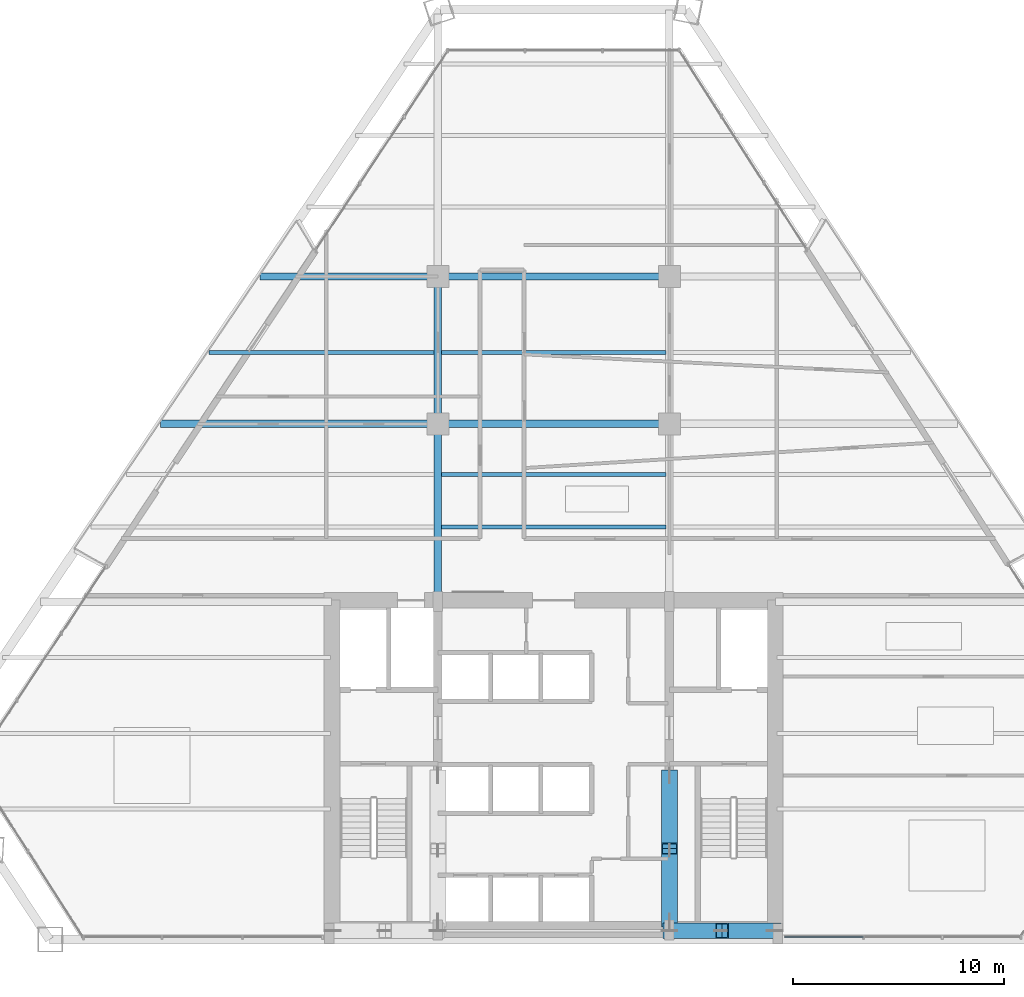
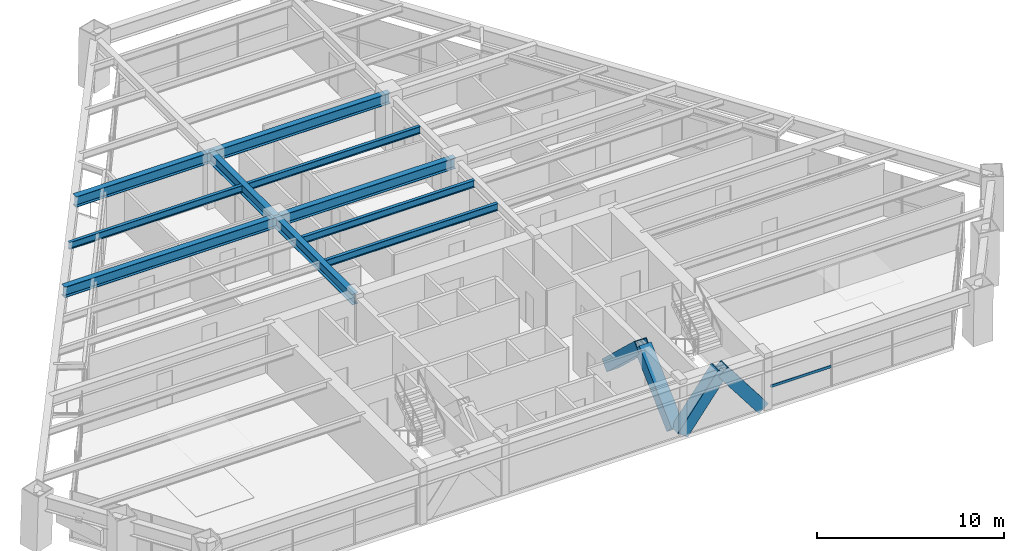
# One storey, part 5 of 14: 10 beams, 5 members, 1 element without a shape of its own.
"""IFC4 building model written with IfcOpenShell, lengths in metres."""

import ifcopenshell
import ifcopenshell.guid

model = None  # the IFC model being written
_history = None  # IfcOwnerHistory: only IFC2X3 demands one
_inside = {}  # id of a spatial element -> (the spatial element, [elements in it])
_under = {}  # id of a project, library or spatial element -> (it, [spatial elements below it])
_declared = {}  # id of a project -> (the project, [libraries it declares])
_typed = {}  # id of a type object -> (the type object, [elements of that type])
_made_of = {}  # id of a material, layer set ... -> (it, [elements and type objects made of it])


def new_model(schema):
    """Start an empty IFC model of exactly this schema.

    Asked for "IFC4X3", IfcOpenShell would pick the latest addendum, in which some entities
    have other attributes; the version numbers below select the first issue.
    IFC2X3 requires an IfcOwnerHistory on every rooted entity: one is made here for all.
    """
    global model, _history
    if schema == "IFC4X3":
        model = ifcopenshell.file(schema_version=(4, 3, 0, 0))
    else:
        model = ifcopenshell.file(schema=schema)
    _inside.clear()
    _under.clear()
    _declared.clear()
    _typed.clear()
    _made_of.clear()
    _history = None
    if model.schema == "IFC2X3":
        org = make("IfcOrganization", Name="unknown")
        user = make(
            "IfcPersonAndOrganization",
            ThePerson=make("IfcPerson", FamilyName="unknown"),
            TheOrganization=org,
        )
        app = make(
            "IfcApplication",
            ApplicationDeveloper=org,
            Version="unknown",
            ApplicationFullName="unknown",
            ApplicationIdentifier="unknown",
        )
        _history = make(
            "IfcOwnerHistory",
            OwningUser=user,
            OwningApplication=app,
            ChangeAction="ADDED",
            CreationDate=0,
        )
    return model


def make(cls, **values):
    """One entity of the class cls with the attributes given. An attribute that is None is left unset."""
    return model.create_entity(
        cls, **{name: value for name, value in values.items() if value is not None}
    )


def rooted(cls, **values):
    """An entity with a GlobalId (a new one), such as an element, a storey or a relation."""
    return make(cls, GlobalId=ifcopenshell.guid.new(), OwnerHistory=_history, **values)


def si_unit(unit_type, name, prefix=None):
    """IfcSIUnit, for example si_unit("LENGTHUNIT", "METRE", prefix="MILLI")."""
    return make("IfcSIUnit", UnitType=unit_type, Prefix=prefix, Name=name)


def assignment(units):
    """IfcUnitAssignment: the units of a project."""
    return None if units is None else make("IfcUnitAssignment", Units=units)


def point(xyz):
    """IfcCartesianPoint."""
    return None if xyz is None else make("IfcCartesianPoint", Coordinates=xyz)


def direction(xyz):
    """IfcDirection."""
    return None if xyz is None else make("IfcDirection", DirectionRatios=xyz)


def frame(location, z_axis=None, x_axis=None):
    """IfcAxis2Placement3D, a coordinate frame: its origin and axes. An axis left out is left unset."""
    return make(
        "IfcAxis2Placement3D",
        Location=point(location),
        Axis=direction(z_axis),
        RefDirection=direction(x_axis),
    )


def frame_2d(location, x_axis=None):
    """IfcAxis2Placement2D, a coordinate frame in the plane: its origin and x axis."""
    return make(
        "IfcAxis2Placement2D", Location=point(location), RefDirection=direction(x_axis)
    )


def origin():
    """The frame at (0, 0, 0) with its axes left unset."""
    return frame((0.0, 0.0, 0.0))


def origin_2d():
    """The frame at (0, 0) in the plane with its x axis left unset."""
    return frame_2d((0.0, 0.0))


def place(relative_to, where):
    """IfcLocalPlacement: puts the frame where relative to a parent placement (None: the world)."""
    return make(
        "IfcLocalPlacement", PlacementRelTo=relative_to, RelativePlacement=where
    )


def context(
    kind, dimensions, precision=None, world=None, true_north=None, identifier=None
):
    """IfcGeometricRepresentationContext, for example the 3D "Model" context."""
    return make(
        "IfcGeometricRepresentationContext",
        ContextIdentifier=identifier,
        ContextType=kind,
        CoordinateSpaceDimension=dimensions,
        Precision=precision,
        WorldCoordinateSystem=world,
        TrueNorth=true_north,
    )


def subcontext(parent, identifier, kind, view, scale=None):
    """IfcGeometricRepresentationSubContext, for example "Body" below "Model"."""
    return make(
        "IfcGeometricRepresentationSubContext",
        ContextIdentifier=identifier,
        ContextType=kind,
        ParentContext=parent,
        TargetScale=scale,
        TargetView=view,
    )


def project(units=None, contexts=None):
    """IfcProject with its units and contexts."""
    return rooted(
        "IfcProject",
        Name="project",
        RepresentationContexts=contexts,
        UnitsInContext=assignment(units),
    )


def spatial(cls, under=None, at=None, **own):
    """A site, building, storey or space (cls), placed at a placement, below another one or the project."""
    s = rooted(cls, ObjectPlacement=at, **own)
    if under is not None:
        _under.setdefault(under.id(), (under, []))[1].append(s)
    return s


def profile(cls, at=None, kind="AREA", **sizes):
    """A parametric profile (cls). Its sizes go by their IFC names, for example OverallWidth=200.0."""
    return make(cls, ProfileType=kind, Position=at, **sizes)


def rectangle(**sizes):
    """IfcRectangleProfileDef."""
    return profile("IfcRectangleProfileDef", **sizes)


def hollow_rectangle(**sizes):
    """IfcRectangleHollowProfileDef."""
    return profile("IfcRectangleHollowProfileDef", **sizes)


def i_section(**sizes):
    """IfcIShapeProfileDef."""
    return profile("IfcIShapeProfileDef", **sizes)


def extrude(swept, where, along, depth):
    """IfcExtrudedAreaSolid: the profile swept, set in the frame where, extruded along a direction by depth."""
    return make(
        "IfcExtrudedAreaSolid",
        SweptArea=swept,
        Position=where,
        ExtrudedDirection=direction(along),
        Depth=depth,
    )


def shape(context_of_items, identifier, shape_type, items):
    """IfcShapeRepresentation: the items that make up one representation, for example the "Body"."""
    return make(
        "IfcShapeRepresentation",
        ContextOfItems=context_of_items,
        RepresentationIdentifier=identifier,
        RepresentationType=shape_type,
        Items=items,
    )


def source(mapping_origin, context_of_items, identifier, shape_type, items):
    """IfcRepresentationMap: a shape defined once, which mapped items show again and again."""
    return make(
        "IfcRepresentationMap",
        MappingOrigin=mapping_origin,
        MappedRepresentation=shape(context_of_items, identifier, shape_type, items),
    )


def transform(
    local_origin,
    x_axis=None,
    y_axis=None,
    z_axis=None,
    scale=None,
    scale2=None,
    scale3=None,
    uniform=True,
):
    """IfcCartesianTransformationOperator3D, or its non-uniform kind. x_axis, y_axis, z_axis: its Axis1, 2, 3."""
    if uniform:
        return make(
            "IfcCartesianTransformationOperator3D",
            Axis1=direction(x_axis),
            Axis2=direction(y_axis),
            LocalOrigin=point(local_origin),
            Scale=scale,
            Axis3=direction(z_axis),
        )
    return make(
        "IfcCartesianTransformationOperator3DnonUniform",
        Axis1=direction(x_axis),
        Axis2=direction(y_axis),
        LocalOrigin=point(local_origin),
        Scale=scale,
        Axis3=direction(z_axis),
        Scale2=scale2,
        Scale3=scale3,
    )


def mapped(mapping_source, mapping_target):
    """IfcMappedItem: shows the shape of a source again, moved by a transform."""
    return make(
        "IfcMappedItem", MappingSource=mapping_source, MappingTarget=mapping_target
    )


def material(Name=None, Category=None):
    """IfcMaterial."""
    return make("IfcMaterial", Name=Name, Category=Category)


def material_profile(
    of_material, cross_section, Name=None, Category=None, Priority=None
):
    """IfcMaterialProfile: a cross section and its material."""
    return make(
        "IfcMaterialProfile",
        Name=Name,
        Material=of_material,
        Profile=cross_section,
        Priority=Priority,
        Category=Category,
    )


def profile_set(profiles, Name=None, composite=None):
    """IfcMaterialProfileSet."""
    return make(
        "IfcMaterialProfileSet",
        Name=Name,
        MaterialProfiles=profiles,
        CompositeProfile=composite,
    )


def made_of(thing, what):
    """Note that an element or type object is made of a material, layer set ...; save() writes the relation."""
    if what is not None:
        _made_of.setdefault(what.id(), (what, []))[1].append(thing)
    return thing


def type_object(cls, material=None, **own):
    """A type object (cls), such as IfcWallType, which elements share."""
    return made_of(rooted(cls, **own), material)


def type_shapes(of_type, sources):
    """Give a type object the sources (RepresentationMaps) that its elements show as mapped items."""
    of_type.RepresentationMaps = sources


def element(
    cls,
    number,
    at=None,
    inside=None,
    cuts=None,
    type_object=None,
    material=None,
    context=None,
    identifier="Body",
    shape_type=None,
    held_by="IfcProductDefinitionShape",
    body=None,
    shapes=None,
    **own,
):
    """One element of the class cls, such as IfcWall. Its Tag is "e" and its number.

    at: its placement. inside: the storey or other place that contains it. cuts: it is an
    opening in that element (IfcRelVoidsElement). A single representation is given by context,
    identifier, shape_type and body (its items); several are given by shapes. held_by: the class
    of the entity that holds the representations. save() writes the other relations.
    """
    e = rooted(cls, Tag="e%d" % number, ObjectPlacement=at, **own)
    if body is not None:
        shapes = [shape(context, identifier, shape_type, body)]
    if shapes is not None:
        e.Representation = make(held_by, Representations=shapes)
    if inside is not None:
        _inside.setdefault(inside.id(), (inside, []))[1].append(e)
    if cuts is not None:
        rooted(
            "IfcRelVoidsElement", RelatingBuildingElement=cuts, RelatedOpeningElement=e
        )
    if type_object is not None:
        _typed.setdefault(type_object.id(), (type_object, []))[1].append(e)
    return made_of(e, material)


def aggregate(whole, parts):
    """IfcRelAggregates: a whole, such as a stair, and the parts it consists of."""
    return rooted("IfcRelAggregates", RelatingObject=whole, RelatedObjects=parts)


def save(model, path):
    """Write the relations noted so far, then the file.

    IfcRelAggregates (storeys below a building ...), IfcRelContainedInSpatialStructure (elements
    in a storey), IfcRelDefinesByType, IfcRelAssociatesMaterial and IfcRelDeclares: one each for
    every whole, place, type object, material and project.
    """
    for whole, parts in _under.values():
        aggregate(whole, parts)
    for where, things in _inside.values():
        rooted(
            "IfcRelContainedInSpatialStructure",
            RelatedElements=things,
            RelatingStructure=where,
        )
    for kind, things in _typed.values():
        rooted("IfcRelDefinesByType", RelatedObjects=things, RelatingType=kind)
    for what, things in _made_of.values():
        rooted("IfcRelAssociatesMaterial", RelatedObjects=things, RelatingMaterial=what)
    for by, libraries in _declared.values():
        rooted("IfcRelDeclares", RelatingContext=by, RelatedDefinitions=libraries)
    model.write(path)


model = new_model("IFC4")

# Units and contexts
model_context = context("Model", 3, precision=1e-05, world=origin(), true_north=direction((0.0, 1.0)))
body_context = subcontext(model_context, "Body", "Model", "MODEL_VIEW")
ifc_project = project(units=[si_unit("LENGTHUNIT", "METRE"), si_unit("AREAUNIT", "SQUARE_METRE"), si_unit("VOLUMEUNIT", "CUBIC_METRE"), si_unit("PLANEANGLEUNIT", "RADIAN"), si_unit("MASSUNIT", "GRAM", prefix="KILO")], contexts=[model_context])

# Site, building, storey
site_placement = place(None, origin())
site = spatial("IfcSite", under=ifc_project, at=site_placement, CompositionType="ELEMENT")
building_placement = place(site_placement, origin())
building = spatial("IfcBuilding", under=site, at=building_placement, Name="Varnakhor Terracotta Tower", CompositionType="ELEMENT")
storey_placement = place(building_placement, frame((0.0, 0.0, 117.300048828125)))
storey = spatial("IfcBuildingStorey", under=building, at=storey_placement, Name="L29", CompositionType="ELEMENT", Elevation=117.300048828125)

# Beams
ifc_material_1 = material(Name="Steel S355", Category="steel")
ifc_material_profile_1 = material_profile(ifc_material_1, i_section(OverallWidth=0.35498046875, OverallDepth=0.695068359375, WebThickness=0.014892578125, FlangeThickness=0.02490234375, FilletRadius=0.01806640625, at=origin_2d()), Name="W27X146")
ifc_profile_set_1 = profile_set([ifc_material_profile_1], Name="Steel S355")
beam_type_1 = type_object("IfcBeamType", Name="BM-W27X146", PredefinedType="BEAM", material=ifc_profile_set_1)
shared_shape_1 = source(origin(), body_context, "Body", "SweptSolid", [
    extrude(i_section(OverallWidth=0.35498046875, OverallDepth=0.695068359375, WebThickness=0.014892578125, FlangeThickness=0.02490234375, FilletRadius=0.01806640625, at=origin_2d()), origin(), (0.0, 0.0, 1.0), 8.449951171875),
])
type_shapes(beam_type_1, [shared_shape_1])
beam_1_placement = place(storey_placement, frame((-5.5, 16.050048828125, 3.072509765625), z_axis=(0.0, 1.0, 0.0), x_axis=(-1.0, 0.0, 0.0)))
element("IfcBeam", 1, at=beam_1_placement, inside=storey, type_object=beam_type_1, Name="L29 Primary Girder NS1-W", PredefinedType="BEAM", context=body_context, shape_type="MappedRepresentation", body=[
    mapped(shared_shape_1, transform((0.0, 0.0, 0.0), scale=1.0)),
])
shared_shape_2 = source(origin(), body_context, "Body", "SweptSolid", [
    extrude(i_section(OverallWidth=0.35498046875, OverallDepth=0.695068359375, WebThickness=0.014892578125, FlangeThickness=0.02490234375, FilletRadius=0.01806640625, at=origin_2d()), origin(), (0.0, 0.0, 1.0), 7.0),
])
beam_2_placement = place(storey_placement, frame((-5.5, 24.5, 3.072509765625), z_axis=(0.0, 1.0, 0.0), x_axis=(-1.0, 0.0, 0.0)))
element("IfcBeam", 2, at=beam_2_placement, inside=storey, type_object=beam_type_1, Name="L29 Primary Girder NS2-W", PredefinedType="BEAM", context=body_context, shape_type="MappedRepresentation", body=[
    mapped(shared_shape_2, transform((0.0, 0.0, 0.0), scale=1.0)),
])
shared_shape_3 = source(origin(), body_context, "Body", "SweptSolid", [
    extrude(i_section(OverallWidth=0.35498046875, OverallDepth=0.695068359375, WebThickness=0.014892578125, FlangeThickness=0.02490234375, FilletRadius=0.01806640625, at=origin_2d()), origin(), (0.0, 0.0, 1.0), 11.0),
])
for number, where, z_axis, x_axis, name in (
    (3, (-5.5, 24.5, 3.072509765625), (1.0, 0.0, 0.0), (0.0, 1.0, 0.0), "L29 Primary Girder EW2-2"),
    (4, (-5.5, 31.5, 3.072509765625), (1.0, 0.0, 0.0), (0.0, 1.0, 0.0), "L29 Primary Girder EW3-2"),
):
    element("IfcBeam", number, at=place(storey_placement, frame(where, z_axis=z_axis, x_axis=x_axis)), inside=storey, type_object=beam_type_1, Name=name, PredefinedType="BEAM", context=body_context, shape_type="MappedRepresentation", body=[
        mapped(shared_shape_3, transform((0.0, 0.0, 0.0), scale=1.0)),
    ])
ifc_material_profile_2 = material_profile(ifc_material_1, i_section(OverallWidth=0.19189453125, OverallDepth=0.462890625, WebThickness=0.010498046875, FlangeThickness=0.017578125, FilletRadius=0.01806640625, at=origin_2d()), Name="W18X60")
ifc_profile_set_2 = profile_set([ifc_material_profile_2], Name="Steel S355")
beam_type_2 = type_object("IfcBeamType", Name="JST-W18X60", PredefinedType="JOIST", material=ifc_profile_set_2)
shared_shape_4 = source(origin(), body_context, "Body", "SweptSolid", [
    extrude(i_section(OverallWidth=0.19189453125, OverallDepth=0.462890625, WebThickness=0.010498046875, FlangeThickness=0.017578125, FilletRadius=0.01806640625, at=origin_2d()), origin(), (0.0, 0.0, 1.0), 10.65283203125),
])
for number, where, z_axis, x_axis, name in (
    (5, (-5.326416015625, 19.60009765625, 3.1884765625), (1.0, 0.0, 0.0), (0.0, 1.0, 0.0), "L29 Composite Floor Joist 4-2"),
    (6, (-5.326416015625, 22.10009765625, 3.1884765625), (1.0, 0.0, 0.0), (0.0, 1.0, 0.0), "L29 Composite Floor Joist 5-2"),
    (7, (-5.326416015625, 27.89990234375, 3.1884765625), (1.0, 0.0, 0.0), (0.0, 1.0, 0.0), "L29 Composite Floor Joist 6-2"),
):
    element("IfcBeam", number, at=place(storey_placement, frame(where, z_axis=z_axis, x_axis=x_axis)), inside=storey, type_object=beam_type_2, Name=name, PredefinedType="JOIST", context=body_context, shape_type="MappedRepresentation", body=[
        mapped(shared_shape_4, transform((0.0, 0.0, 0.0), scale=1.0)),
    ])
shared_shape_5 = source(origin(), body_context, "Body", "SweptSolid", [
    extrude(i_section(OverallWidth=0.35498046875, OverallDepth=0.695068359375, WebThickness=0.014892578125, FlangeThickness=0.02490234375, FilletRadius=0.01806640625, at=origin_2d()), origin(), (0.0, 0.0, 1.0), 13.173828125),
])
beam_3_placement = place(storey_placement, frame((-18.673828125, 24.5, 3.072509765625), z_axis=(1.0, 0.0, 0.0), x_axis=(0.0, 1.0, 0.0)))
element("IfcBeam", 8, at=beam_3_placement, inside=storey, type_object=beam_type_1, Name="L29 Primary Girder EW2-1", PredefinedType="BEAM", context=body_context, shape_type="MappedRepresentation", body=[
    mapped(shared_shape_5, transform((0.0, 0.0, 0.0), scale=1.0)),
])
shared_shape_6 = source(origin(), body_context, "Body", "SweptSolid", [
    extrude(i_section(OverallWidth=0.35498046875, OverallDepth=0.695068359375, WebThickness=0.014892578125, FlangeThickness=0.02490234375, FilletRadius=0.01806640625, at=origin_2d()), origin(), (0.0, 0.0, 1.0), 8.439697265625),
])
beam_4_placement = place(storey_placement, frame((-13.939697265625, 31.5, 3.072509765625), z_axis=(1.0, 0.0, 0.0), x_axis=(0.0, 1.0, 0.0)))
element("IfcBeam", 9, at=beam_4_placement, inside=storey, type_object=beam_type_1, Name="L29 Primary Girder EW3-1", PredefinedType="BEAM", context=body_context, shape_type="MappedRepresentation", body=[
    mapped(shared_shape_6, transform((0.0, 0.0, 0.0), scale=1.0)),
])
shared_shape_7 = source(origin(), body_context, "Body", "SweptSolid", [
    extrude(i_section(OverallWidth=0.19189453125, OverallDepth=0.462890625, WebThickness=0.010498046875, FlangeThickness=0.017578125, FilletRadius=0.01806640625, at=origin_2d()), origin(), (0.0, 0.0, 1.0), 10.700927734375),
])
beam_5_placement = place(storey_placement, frame((-16.37451171875, 27.89990234375, 3.1884765625), z_axis=(1.0, 0.0, 0.0), x_axis=(0.0, 1.0, 0.0)))
element("IfcBeam", 10, at=beam_5_placement, inside=storey, type_object=beam_type_2, Name="L29 Composite Floor Joist 6-1", PredefinedType="JOIST", context=body_context, shape_type="MappedRepresentation", body=[
    mapped(shared_shape_7, transform((0.0, 0.0, 0.0), scale=1.0)),
])

# Members
ifc_material_2 = material(Name="Steel S460", Category="steel")
ifc_material_profile_3 = material_profile(ifc_material_2, hollow_rectangle(XDim=0.75, YDim=0.75, WallThickness=0.044921875, at=origin_2d()), Name="HSS750X750X45")
ifc_profile_set_3 = profile_set([ifc_material_profile_3], Name="Steel S460")
member_type_1 = type_object("IfcMemberType", Name="MBR-MEGA-750", PredefinedType="BRACE", material=ifc_profile_set_3)
shared_shape_8 = source(origin(), body_context, "Body", "SweptSolid", [
    extrude(hollow_rectangle(XDim=0.75, YDim=0.75, WallThickness=0.044921875, at=origin_2d()), origin(), (0.0, 0.0, 1.0), 4.1162109375),
])
for number, where, z_axis, x_axis, name in (
    (11, (5.5, 0.419921875, 0.0), (0.607357638477, 0.0, 0.794428536109), (0.0, 1.0, 0.0), "L29 Core Coupled Brace CSEA"),
    (12, (10.5, 0.419921875, 0.0), (-0.607357638477, 0.0, 0.794428536109), (0.0, -1.0, 0.0), "L29 Core Coupled Brace CSEB"),
):
    element("IfcMember", number, at=place(storey_placement, frame(where, z_axis=z_axis, x_axis=x_axis)), inside=storey, type_object=member_type_1, Name=name, PredefinedType="BRACE", context=body_context, shape_type="MappedRepresentation", body=[
        mapped(shared_shape_8, transform((0.0, 0.0, 0.0), scale=1.0)),
    ])
shared_shape_9 = source(origin(), body_context, "Body", "SweptSolid", [
    extrude(hollow_rectangle(XDim=0.75, YDim=0.75, WallThickness=0.044921875, at=origin_2d()), origin(), (0.0, 0.0, 1.0), 4.771484375),
])
member_1_placement = place(storey_placement, frame((5.5, 0.85009765625, 0.0), z_axis=(0.0, 0.728245054713, 0.685316817454), x_axis=(-1.0, 0.0, 0.0)))
element("IfcMember", 13, at=member_1_placement, inside=storey, type_object=member_type_1, Name="L29 Core Coupled Brace CWEA", PredefinedType="BRACE", context=body_context, shape_type="MappedRepresentation", body=[
    mapped(shared_shape_9, transform((0.0, 0.0, 0.0), scale=1.0)),
])
shared_shape_10 = source(origin(), body_context, "Body", "SweptSolid", [
    extrude(hollow_rectangle(XDim=0.75, YDim=0.75, WallThickness=0.044921875, at=origin_2d()), origin(), (0.0, 0.0, 1.0), 4.771728515625),
])
member_2_placement = place(storey_placement, frame((5.5, 7.800048828125, 0.0), z_axis=(0.0, -0.728269083929, 0.685291282152), x_axis=(1.0, 0.0, 0.0)))
element("IfcMember", 14, at=member_2_placement, inside=storey, type_object=member_type_1, Name="L29 Core Coupled Brace CWEB", PredefinedType="BRACE", context=body_context, shape_type="MappedRepresentation", body=[
    mapped(shared_shape_10, transform((0.0, 0.0, 0.0), scale=1.0)),
])

# Curtain wall, member
ifc_material_3 = material(Name="Anodised Aluminium Curtain Wall System", Category="aluminium")
curtain_wall_type = type_object("IfcCurtainWallType", Name="CW-SYS-LOW-OFFICE", PredefinedType="NOTDEFINED", material=ifc_material_3)
curtain_wall_placement = place(storey_placement, origin())
curtain_wall = element("IfcCurtainWall", 15, at=curtain_wall_placement, inside=storey, type_object=curtain_wall_type, Name="L29 South Wing Curtain Wall SSE", PredefinedType="NOTDEFINED")
ifc_material_4 = material(Name="Anodised Aluminium 6063-T6", Category="aluminium")
ifc_material_profile_4 = material_profile(ifc_material_4, rectangle(XDim=0.074951171875, YDim=0.1650390625, at=origin_2d()), Name="ALU TRANSOM 75x165")
ifc_profile_set_4 = profile_set([ifc_material_profile_4], Name="Anodised Aluminium 6063-T6")
member_type_2 = type_object("IfcMemberType", Name="CWT-02", PredefinedType="USERDEFINED", material=ifc_profile_set_4)
shared_shape_11 = source(origin(), body_context, "Body", "SweptSolid", [
    extrude(rectangle(XDim=0.074951171875, YDim=0.1650390625, at=origin_2d()), origin(), (0.0, 0.0, 1.0), 3.745361328125),
])
member_3_placement = place(storey_placement, frame((14.71533203125, 0.1201171875, 1.260009765625), z_axis=(-1.0, 0.0, 0.0), x_axis=(0.0, -1.0, 0.0)))
member_3 = element("IfcMember", 16, at=member_3_placement, type_object=member_type_2, Name="L29 South Wing Curtain Wall SSE Transom 3", ObjectType="TRANSOM", PredefinedType="USERDEFINED", context=body_context, shape_type="MappedRepresentation", body=[
    mapped(shared_shape_11, transform((0.0, 0.0, 0.0), scale=1.0)),
])
aggregate(curtain_wall, [member_3])

save(model, "model.ifc")
